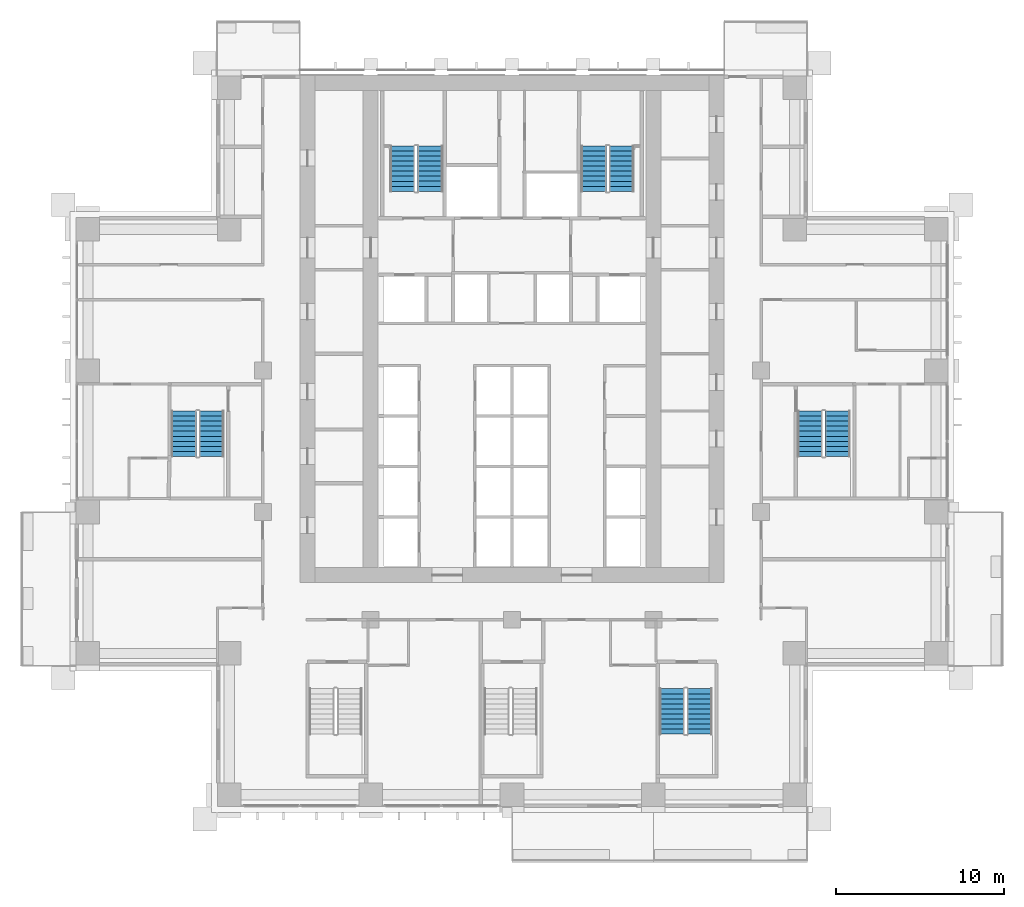
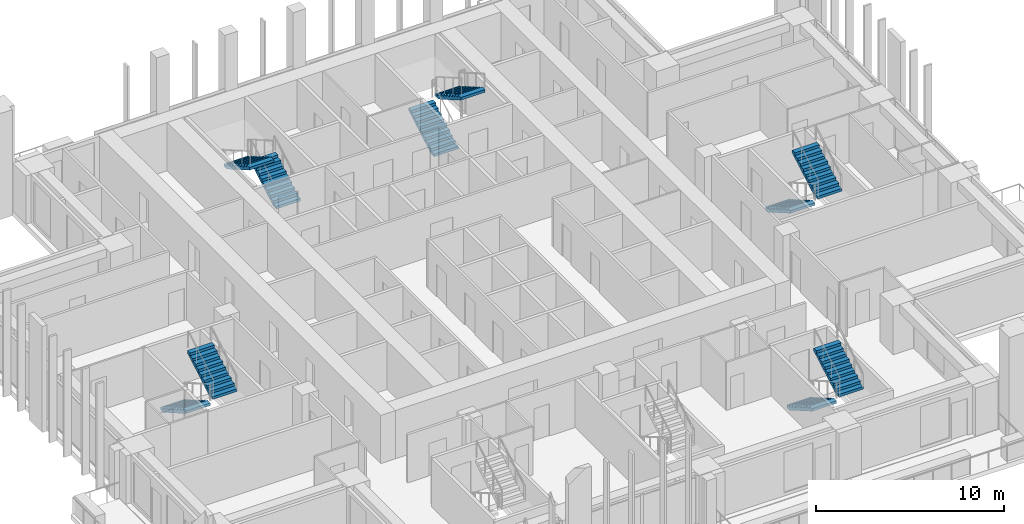
# One storey, part 14 of 19: 10 stair flights, 5 elements without a shape of their own.
"""IFC4 building model written with IfcOpenShell, lengths in metres."""

from ifc_helpers import new_model, si_unit, direction, frame, origin, place, context, subcontext, project, spatial, polyline, outline, extrude, material, type_object, element, aggregate, save


model = new_model("IFC4")

# Units and contexts
model_context = context("Model", 3, precision=1e-05, world=origin(), true_north=direction((0.0, 1.0)))
body_context = subcontext(model_context, "Body", "Model", "MODEL_VIEW")
ifc_project = project(units=[si_unit("LENGTHUNIT", "METRE"), si_unit("AREAUNIT", "SQUARE_METRE"), si_unit("VOLUMEUNIT", "CUBIC_METRE"), si_unit("PLANEANGLEUNIT", "RADIAN"), si_unit("MASSUNIT", "GRAM", prefix="KILO")], contexts=[model_context])

# Site, building, storey
site_placement = place(None, origin())
site = spatial("IfcSite", under=ifc_project, at=site_placement, CompositionType="ELEMENT")
building_placement = place(site_placement, origin())
building = spatial("IfcBuilding", under=site, at=building_placement, Name="Vermilion Ogive Tower", CompositionType="ELEMENT")
storey_placement = place(building_placement, frame((0.0, 0.0, 62.10009765625)))
storey = spatial("IfcBuildingStorey", under=building, at=storey_placement, Name="L14", CompositionType="ELEMENT", Elevation=62.10009765625)

# Stair, stair flights
ifc_material_1 = material(Name="Concrete B40", Category="concrete")
stair_type = type_object("IfcStairType", Name="Exit stair 1500", PredefinedType="HALF_TURN_STAIR", material=ifc_material_1)
stair_1_placement = place(storey_placement, origin())
stair_1 = element("IfcStair", 1, at=stair_1_placement, inside=storey, type_object=stair_type, Name="L14 Exit Stair ST1", PredefinedType="HALF_TURN_STAIR")
ifc_material_2 = material(Name="Concrete B40", Category="concrete")
stair_flight_type = type_object("IfcStairFlightType", Name="Stair flight 1500", PredefinedType="STRAIGHT", material=ifc_material_2)
stair_flight_1_placement = place(storey_placement, frame((-4.85009765625, 14.85009765625, 0.0), z_axis=(0.0, 0.0, 1.0), x_axis=(0.0, 1.0, 0.0)))
stair_flight_1 = element("IfcStairFlight", 2, at=stair_flight_1_placement, type_object=stair_flight_type, Name="ST1 flight 1", NumberOfRisers=10, NumberOfTreads=9, PredefinedType="STRAIGHT", RiserHeight=0.1725, TreadLength=0.3, context=body_context, shape_type="SweptSolid", body=[
    extrude(outline(polyline([(0.0, 0.0), (0.0, 0.172607421875), (0.300048828125, 0.172607421875), (0.300048828125, 0.344970703125), (0.60009765625, 0.344970703125), (0.60009765625, 0.517578125), (0.89990234375, 0.517578125), (0.89990234375, 0.68994140625), (1.199951171875, 0.68994140625), (1.199951171875, 0.862548828125), (1.5, 0.862548828125), (1.5, 1.034912109375), (1.800048828125, 1.034912109375), (1.800048828125, 1.20751953125), (2.10009765625, 1.20751953125), (2.10009765625, 1.3798828125), (2.39990234375, 1.3798828125), (2.39990234375, 1.552490234375), (2.699951171875, 1.552490234375), (2.699951171875, 1.72509765625), (2.699951171875, 1.379638671875), (0.30078125, 0.0), (0.0, 0.0)])), frame((0.0, 0.75, 0.0), z_axis=(0.0, -1.0, 0.0), x_axis=(1.0, 0.0, 0.0)), (0.0, 0.0, 1.0), 1.5),
])
stair_flight_2_placement = place(storey_placement, frame((-6.5, 17.550048828125, 1.724853515625), z_axis=(0.0, 0.0, 1.0), x_axis=(0.0, -1.0, 0.0)))
stair_flight_2 = element("IfcStairFlight", 3, at=stair_flight_2_placement, type_object=stair_flight_type, Name="ST1 flight 2", NumberOfRisers=10, NumberOfTreads=9, PredefinedType="STRAIGHT", RiserHeight=0.1725, TreadLength=0.3, context=body_context, shape_type="SweptSolid", body=[
    extrude(outline(polyline([(0.0, 0.0), (0.0, 0.172607421875), (0.300048828125, 0.172607421875), (0.300048828125, 0.344970703125), (0.60009765625, 0.344970703125), (0.60009765625, 0.517578125), (0.89990234375, 0.517578125), (0.89990234375, 0.68994140625), (1.199951171875, 0.68994140625), (1.199951171875, 0.862548828125), (1.5, 0.862548828125), (1.5, 1.034912109375), (1.800048828125, 1.034912109375), (1.800048828125, 1.20751953125), (2.10009765625, 1.20751953125), (2.10009765625, 1.3798828125), (2.39990234375, 1.3798828125), (2.39990234375, 1.552490234375), (2.699951171875, 1.552490234375), (2.699951171875, 1.72509765625), (2.699951171875, 1.379638671875), (0.30078125, 0.0), (0.0, 0.0)])), frame((0.0, 0.75, 0.0), z_axis=(0.0, -1.0, 0.0), x_axis=(1.0, 0.0, 0.0)), (0.0, 0.0, 1.0), 1.5),
])
aggregate(stair_1, [stair_flight_1, stair_flight_2])

stair_2_placement = place(storey_placement, origin())
stair_2 = element("IfcStair", 4, at=stair_2_placement, inside=storey, type_object=stair_type, Name="L14 Exit Stair ST2", PredefinedType="HALF_TURN_STAIR")
stair_flight_3_placement = place(storey_placement, frame((4.85009765625, 14.85009765625, 0.0), z_axis=(0.0, 0.0, 1.0), x_axis=(0.0, 1.0, 0.0)))
stair_flight_3 = element("IfcStairFlight", 5, at=stair_flight_3_placement, type_object=stair_flight_type, Name="ST2 flight 1", NumberOfRisers=10, NumberOfTreads=9, PredefinedType="STRAIGHT", RiserHeight=0.1725, TreadLength=0.3, context=body_context, shape_type="SweptSolid", body=[
    extrude(outline(polyline([(0.0, 0.0), (0.0, 0.172607421875), (0.300048828125, 0.172607421875), (0.300048828125, 0.344970703125), (0.60009765625, 0.344970703125), (0.60009765625, 0.517578125), (0.89990234375, 0.517578125), (0.89990234375, 0.68994140625), (1.199951171875, 0.68994140625), (1.199951171875, 0.862548828125), (1.5, 0.862548828125), (1.5, 1.034912109375), (1.800048828125, 1.034912109375), (1.800048828125, 1.20751953125), (2.10009765625, 1.20751953125), (2.10009765625, 1.3798828125), (2.39990234375, 1.3798828125), (2.39990234375, 1.552490234375), (2.699951171875, 1.552490234375), (2.699951171875, 1.72509765625), (2.699951171875, 1.379638671875), (0.30078125, 0.0), (0.0, 0.0)])), frame((0.0, 0.75, 0.0), z_axis=(0.0, -1.0, 0.0), x_axis=(1.0, 0.0, 0.0)), (0.0, 0.0, 1.0), 1.5),
])
stair_flight_4_placement = place(storey_placement, frame((6.5, 17.550048828125, 1.724853515625), z_axis=(0.0, 0.0, 1.0), x_axis=(0.0, -1.0, 0.0)))
stair_flight_4 = element("IfcStairFlight", 6, at=stair_flight_4_placement, type_object=stair_flight_type, Name="ST2 flight 2", NumberOfRisers=10, NumberOfTreads=9, PredefinedType="STRAIGHT", RiserHeight=0.1725, TreadLength=0.3, context=body_context, shape_type="SweptSolid", body=[
    extrude(outline(polyline([(0.0, 0.0), (0.0, 0.172607421875), (0.300048828125, 0.172607421875), (0.300048828125, 0.344970703125), (0.60009765625, 0.344970703125), (0.60009765625, 0.517578125), (0.89990234375, 0.517578125), (0.89990234375, 0.68994140625), (1.199951171875, 0.68994140625), (1.199951171875, 0.862548828125), (1.5, 0.862548828125), (1.5, 1.034912109375), (1.800048828125, 1.034912109375), (1.800048828125, 1.20751953125), (2.10009765625, 1.20751953125), (2.10009765625, 1.3798828125), (2.39990234375, 1.3798828125), (2.39990234375, 1.552490234375), (2.699951171875, 1.552490234375), (2.699951171875, 1.72509765625), (2.699951171875, 1.379638671875), (0.30078125, 0.0), (0.0, 0.0)])), frame((0.0, 0.75, 0.0), z_axis=(0.0, -1.0, 0.0), x_axis=(1.0, 0.0, 0.0)), (0.0, 0.0, 1.0), 1.5),
])
aggregate(stair_2, [stair_flight_3, stair_flight_4])

stair_3_placement = place(storey_placement, origin())
stair_3 = element("IfcStair", 7, at=stair_3_placement, inside=storey, type_object=stair_type, Name="L14 Exit Stair ST5", PredefinedType="HALF_TURN_STAIR")
stair_flight_5_placement = place(storey_placement, frame((9.5, -14.699951171875, 0.0), z_axis=(0.0, 0.0, 1.0), x_axis=(0.0, -1.0, 0.0)))
stair_flight_5 = element("IfcStairFlight", 8, at=stair_flight_5_placement, type_object=stair_flight_type, Name="ST5 flight 1", NumberOfRisers=10, NumberOfTreads=9, PredefinedType="STRAIGHT", RiserHeight=0.1725, TreadLength=0.3, context=body_context, shape_type="SweptSolid", body=[
    extrude(outline(polyline([(0.0, 0.0), (0.0, 0.172607421875), (0.300048828125, 0.172607421875), (0.300048828125, 0.344970703125), (0.60009765625, 0.344970703125), (0.60009765625, 0.517578125), (0.89990234375, 0.517578125), (0.89990234375, 0.68994140625), (1.199951171875, 0.68994140625), (1.199951171875, 0.862548828125), (1.5, 0.862548828125), (1.5, 1.034912109375), (1.800048828125, 1.034912109375), (1.800048828125, 1.20751953125), (2.10009765625, 1.20751953125), (2.10009765625, 1.3798828125), (2.39990234375, 1.3798828125), (2.39990234375, 1.552490234375), (2.699951171875, 1.552490234375), (2.699951171875, 1.72509765625), (2.699951171875, 1.379638671875), (0.30078125, 0.0), (0.0, 0.0)])), frame((0.0, 0.75, 0.0), z_axis=(0.0, -1.0, 0.0), x_axis=(1.0, 0.0, 0.0)), (0.0, 0.0, 1.0), 1.5),
])
stair_flight_6_placement = place(storey_placement, frame((11.14990234375, -17.39990234375, 1.724853515625), z_axis=(0.0, 0.0, 1.0), x_axis=(0.0, 1.0, 0.0)))
stair_flight_6 = element("IfcStairFlight", 9, at=stair_flight_6_placement, type_object=stair_flight_type, Name="ST5 flight 2", NumberOfRisers=10, NumberOfTreads=9, PredefinedType="STRAIGHT", RiserHeight=0.1725, TreadLength=0.3, context=body_context, shape_type="SweptSolid", body=[
    extrude(outline(polyline([(0.0, 0.0), (0.0, 0.172607421875), (0.300048828125, 0.172607421875), (0.300048828125, 0.344970703125), (0.60009765625, 0.344970703125), (0.60009765625, 0.517578125), (0.89990234375, 0.517578125), (0.89990234375, 0.68994140625), (1.199951171875, 0.68994140625), (1.199951171875, 0.862548828125), (1.5, 0.862548828125), (1.5, 1.034912109375), (1.800048828125, 1.034912109375), (1.800048828125, 1.20751953125), (2.10009765625, 1.20751953125), (2.10009765625, 1.3798828125), (2.39990234375, 1.3798828125), (2.39990234375, 1.552490234375), (2.699951171875, 1.552490234375), (2.699951171875, 1.72509765625), (2.699951171875, 1.379638671875), (0.30078125, 0.0), (0.0, 0.0)])), frame((0.0, 0.75, 0.0), z_axis=(0.0, -1.0, 0.0), x_axis=(1.0, 0.0, 0.0)), (0.0, 0.0, 1.0), 1.5),
])
aggregate(stair_3, [stair_flight_5, stair_flight_6])

stair_4_placement = place(storey_placement, origin())
stair_4 = element("IfcStair", 10, at=stair_4_placement, inside=storey, type_object=stair_type, Name="L14 Exit Stair ST8", PredefinedType="HALF_TURN_STAIR")
stair_flight_7_placement = place(storey_placement, frame((17.699951171875, 1.800048828125, 0.0), z_axis=(0.0, 0.0, 1.0), x_axis=(0.0, -1.0, 0.0)))
stair_flight_7 = element("IfcStairFlight", 11, at=stair_flight_7_placement, type_object=stair_flight_type, Name="ST8 flight 1", NumberOfRisers=10, NumberOfTreads=9, PredefinedType="STRAIGHT", RiserHeight=0.1725, TreadLength=0.3, context=body_context, shape_type="SweptSolid", body=[
    extrude(outline(polyline([(0.0, 0.0), (0.0, 0.172607421875), (0.300048828125, 0.172607421875), (0.300048828125, 0.344970703125), (0.60009765625, 0.344970703125), (0.60009765625, 0.517578125), (0.89990234375, 0.517578125), (0.89990234375, 0.68994140625), (1.199951171875, 0.68994140625), (1.199951171875, 0.862548828125), (1.5, 0.862548828125), (1.5, 1.034912109375), (1.800048828125, 1.034912109375), (1.800048828125, 1.20751953125), (2.10009765625, 1.20751953125), (2.10009765625, 1.3798828125), (2.39990234375, 1.3798828125), (2.39990234375, 1.552490234375), (2.699951171875, 1.552490234375), (2.699951171875, 1.72509765625), (2.699951171875, 1.379638671875), (0.30078125, 0.0), (0.0, 0.0)])), frame((0.0, 0.75, 0.0), z_axis=(0.0, -1.0, 0.0), x_axis=(1.0, 0.0, 0.0)), (0.0, 0.0, 1.0), 1.5),
])
stair_flight_8_placement = place(storey_placement, frame((19.35009765625, -0.89990234375, 1.724853515625), z_axis=(0.0, 0.0, 1.0), x_axis=(0.0, 1.0, 0.0)))
stair_flight_8 = element("IfcStairFlight", 12, at=stair_flight_8_placement, type_object=stair_flight_type, Name="ST8 flight 2", NumberOfRisers=10, NumberOfTreads=9, PredefinedType="STRAIGHT", RiserHeight=0.1725, TreadLength=0.3, context=body_context, shape_type="SweptSolid", body=[
    extrude(outline(polyline([(0.0, 0.0), (0.0, 0.172607421875), (0.300048828125, 0.172607421875), (0.300048828125, 0.344970703125), (0.60009765625, 0.344970703125), (0.60009765625, 0.517578125), (0.89990234375, 0.517578125), (0.89990234375, 0.68994140625), (1.199951171875, 0.68994140625), (1.199951171875, 0.862548828125), (1.5, 0.862548828125), (1.5, 1.034912109375), (1.800048828125, 1.034912109375), (1.800048828125, 1.20751953125), (2.10009765625, 1.20751953125), (2.10009765625, 1.3798828125), (2.39990234375, 1.3798828125), (2.39990234375, 1.552490234375), (2.699951171875, 1.552490234375), (2.699951171875, 1.72509765625), (2.699951171875, 1.379638671875), (0.30078125, 0.0), (0.0, 0.0)])), frame((0.0, 0.75, 0.0), z_axis=(0.0, -1.0, 0.0), x_axis=(1.0, 0.0, 0.0)), (0.0, 0.0, 1.0), 1.5),
])
aggregate(stair_4, [stair_flight_7, stair_flight_8])

stair_5_placement = place(storey_placement, origin())
stair_5 = element("IfcStair", 13, at=stair_5_placement, inside=storey, type_object=stair_type, Name="L14 Exit Stair ST9", PredefinedType="HALF_TURN_STAIR")
stair_flight_9_placement = place(storey_placement, frame((-19.5, 1.800048828125, 0.0), z_axis=(0.0, 0.0, 1.0), x_axis=(0.0, -1.0, 0.0)))
stair_flight_9 = element("IfcStairFlight", 14, at=stair_flight_9_placement, type_object=stair_flight_type, Name="ST9 flight 1", NumberOfRisers=10, NumberOfTreads=9, PredefinedType="STRAIGHT", RiserHeight=0.1725, TreadLength=0.3, context=body_context, shape_type="SweptSolid", body=[
    extrude(outline(polyline([(0.0, 0.0), (0.0, 0.172607421875), (0.300048828125, 0.172607421875), (0.300048828125, 0.344970703125), (0.60009765625, 0.344970703125), (0.60009765625, 0.517578125), (0.89990234375, 0.517578125), (0.89990234375, 0.68994140625), (1.199951171875, 0.68994140625), (1.199951171875, 0.862548828125), (1.5, 0.862548828125), (1.5, 1.034912109375), (1.800048828125, 1.034912109375), (1.800048828125, 1.20751953125), (2.10009765625, 1.20751953125), (2.10009765625, 1.3798828125), (2.39990234375, 1.3798828125), (2.39990234375, 1.552490234375), (2.699951171875, 1.552490234375), (2.699951171875, 1.72509765625), (2.699951171875, 1.379638671875), (0.30078125, 0.0), (0.0, 0.0)])), frame((0.0, 0.75, 0.0), z_axis=(0.0, -1.0, 0.0), x_axis=(1.0, 0.0, 0.0)), (0.0, 0.0, 1.0), 1.5),
])
stair_flight_10_placement = place(storey_placement, frame((-17.85009765625, -0.89990234375, 1.724853515625), z_axis=(0.0, 0.0, 1.0), x_axis=(0.0, 1.0, 0.0)))
stair_flight_10 = element("IfcStairFlight", 15, at=stair_flight_10_placement, type_object=stair_flight_type, Name="ST9 flight 2", NumberOfRisers=10, NumberOfTreads=9, PredefinedType="STRAIGHT", RiserHeight=0.1725, TreadLength=0.3, context=body_context, shape_type="SweptSolid", body=[
    extrude(outline(polyline([(0.0, 0.0), (0.0, 0.172607421875), (0.300048828125, 0.172607421875), (0.300048828125, 0.344970703125), (0.60009765625, 0.344970703125), (0.60009765625, 0.517578125), (0.89990234375, 0.517578125), (0.89990234375, 0.68994140625), (1.199951171875, 0.68994140625), (1.199951171875, 0.862548828125), (1.5, 0.862548828125), (1.5, 1.034912109375), (1.800048828125, 1.034912109375), (1.800048828125, 1.20751953125), (2.10009765625, 1.20751953125), (2.10009765625, 1.3798828125), (2.39990234375, 1.3798828125), (2.39990234375, 1.552490234375), (2.699951171875, 1.552490234375), (2.699951171875, 1.72509765625), (2.699951171875, 1.379638671875), (0.30078125, 0.0), (0.0, 0.0)])), frame((0.0, 0.75, 0.0), z_axis=(0.0, -1.0, 0.0), x_axis=(1.0, 0.0, 0.0)), (0.0, 0.0, 1.0), 1.5),
])
aggregate(stair_5, [stair_flight_9, stair_flight_10])

save(model, "model.ifc")
